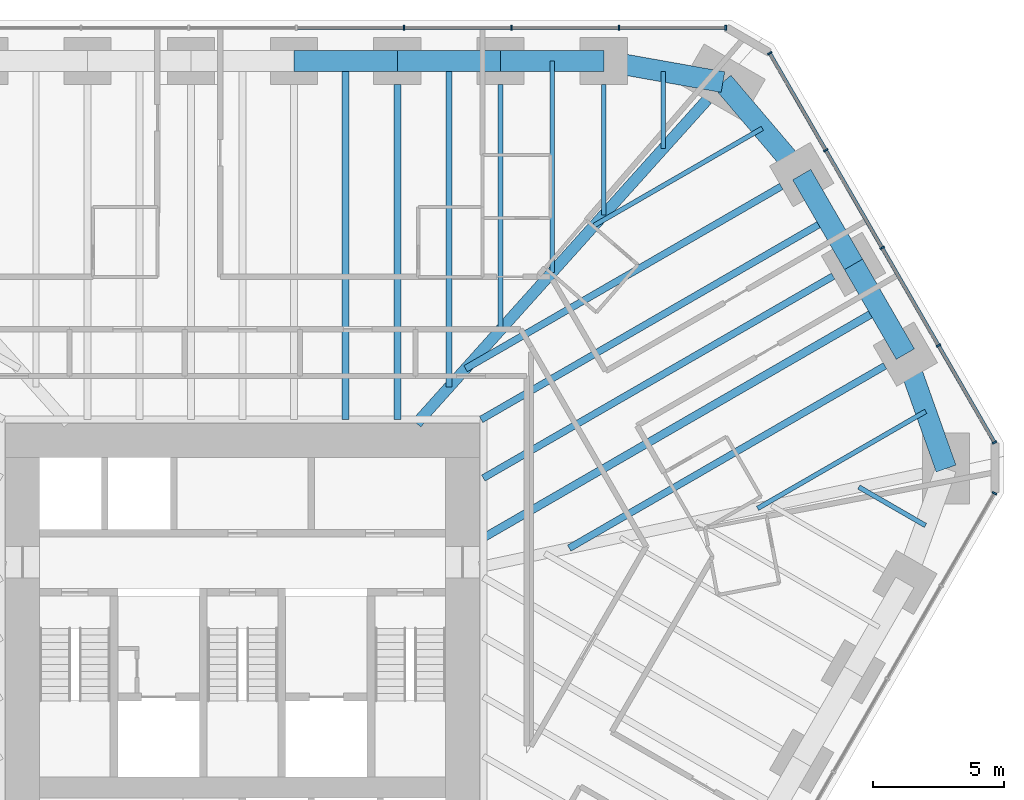
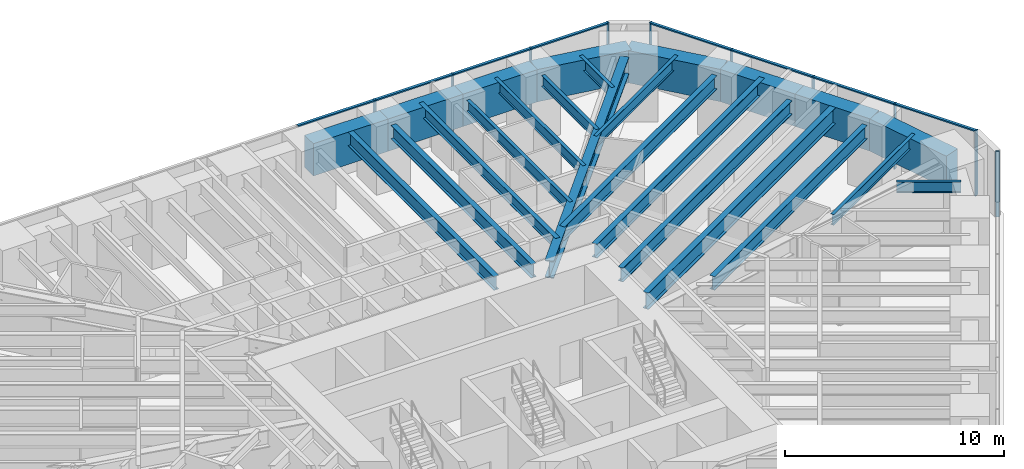
# One storey, part 9 of 17: 24 beams, 18 members, 3 elements without a shape of their own.
"""IFC4 building model written with IfcOpenShell, lengths in metres."""

from ifc_helpers import new_model, si_unit, direction, frame, origin, origin_2d, place, context, subcontext, project, spatial, rectangle, i_section, extrude, material, material_profile, profile_set, type_object, element, aggregate, save


model = new_model("IFC4")

# Units and contexts
model_context = context("Model", 3, precision=1e-05, world=origin(), true_north=direction((0.0, 1.0)))
body_context = subcontext(model_context, "Body", "Model", "MODEL_VIEW")
ifc_project = project(units=[si_unit("LENGTHUNIT", "METRE"), si_unit("AREAUNIT", "SQUARE_METRE"), si_unit("VOLUMEUNIT", "CUBIC_METRE"), si_unit("PLANEANGLEUNIT", "RADIAN"), si_unit("MASSUNIT", "GRAM", prefix="KILO")], contexts=[model_context])

# Site, building, storey
site_placement = place(None, origin())
site = spatial("IfcSite", under=ifc_project, at=site_placement, CompositionType="ELEMENT")
building_placement = place(site_placement, origin())
building = spatial("IfcBuilding", under=site, at=building_placement, Name="Sandreach Pilgrim Tower", CompositionType="ELEMENT")
storey_placement = place(building_placement, frame((0.0, 0.0, 108.199951171875)))
storey = spatial("IfcBuildingStorey", under=building, at=storey_placement, Name="L26", CompositionType="ELEMENT", Elevation=108.199951171875)

# Curtain wall, members
ifc_material_1 = material(Name="Aluminium framed curtain wall", Category="aluminium")
curtain_wall_type = type_object("IfcCurtainWallType", Name="Hotel tower curtain wall", PredefinedType="NOTDEFINED", material=ifc_material_1)
curtain_wall_1_placement = place(storey_placement, origin())
curtain_wall_1 = element("IfcCurtainWall", 1, at=curtain_wall_1_placement, inside=storey, type_object=curtain_wall_type, Name="CW-2 L26 N", PredefinedType="NOTDEFINED")
ifc_material_2 = material(Name="Aluminium extrusion", Category="aluminium")
ifc_material_profile_1 = material_profile(ifc_material_2, rectangle(XDim=0.06494140625, YDim=0.179931640625, at=origin_2d()), Name="CW-2M 65X180")
ifc_profile_set_1 = profile_set([ifc_material_profile_1], Name="Aluminium extrusion")
member_type_1 = type_object("IfcMemberType", Name="CW-2 mullion", PredefinedType="MULLION", material=ifc_profile_set_1)
member_1_placement = place(storey_placement, frame((6.160400390625, 22.493896484375, 0.0), z_axis=(0.0, 0.0, 1.0), x_axis=(1.0, 0.0, 0.0)))
member_1 = element("IfcMember", 2, at=member_1_placement, type_object=member_type_1, Name="CW-2 mullion 7", PredefinedType="MULLION", context=body_context, shape_type="SweptSolid", body=[
    extrude(rectangle(XDim=0.06494140625, YDim=0.179931640625, at=origin_2d()), origin(), (0.0, 0.0, 1.0), 3.64013671875),
])
member_2_placement = place(storey_placement, frame((10.267333984375, 22.493896484375, 0.0), z_axis=(0.0, 0.0, 1.0), x_axis=(1.0, 0.0, 0.0)))
member_2 = element("IfcMember", 3, at=member_2_placement, type_object=member_type_1, Name="CW-2 mullion 8", PredefinedType="MULLION", context=body_context, shape_type="SweptSolid", body=[
    extrude(rectangle(XDim=0.06494140625, YDim=0.179931640625, at=origin_2d()), origin(), (0.0, 0.0, 1.0), 3.64013671875),
])
member_3_placement = place(storey_placement, frame((14.37451171875, 22.493896484375, 0.0), z_axis=(0.0, 0.0, 1.0), x_axis=(1.0, 0.0, 0.0)))
member_3 = element("IfcMember", 4, at=member_3_placement, type_object=member_type_1, Name="CW-2 mullion 9", PredefinedType="MULLION", context=body_context, shape_type="SweptSolid", body=[
    extrude(rectangle(XDim=0.06494140625, YDim=0.179931640625, at=origin_2d()), origin(), (0.0, 0.0, 1.0), 3.64013671875),
])
member_4_placement = place(storey_placement, frame((18.448974609375, 22.493896484375, 0.0), z_axis=(0.0, 0.0, 1.0), x_axis=(1.0, 0.0, 0.0)))
member_4 = element("IfcMember", 5, at=member_4_placement, type_object=member_type_1, Name="CW-2 mullion 10", PredefinedType="MULLION", context=body_context, shape_type="SweptSolid", body=[
    extrude(rectangle(XDim=0.06494140625, YDim=0.179931640625, at=origin_2d()), origin(), (0.0, 0.0, 1.0), 3.64013671875),
])

curtain_wall_2_placement = place(storey_placement, origin())
curtain_wall_2 = element("IfcCurtainWall", 6, at=curtain_wall_2_placement, inside=storey, type_object=curtain_wall_type, Name="CW-2 L26 NE", PredefinedType="NOTDEFINED")
member_5_placement = place(storey_placement, frame((20.125732421875, 21.525634765625, 0.0), z_axis=(0.0, 0.0, 1.0), x_axis=(0.5, -0.866025403784, 0.0)))
member_5 = element("IfcMember", 7, at=member_5_placement, type_object=member_type_1, Name="CW-2 mullion 1", PredefinedType="MULLION", context=body_context, shape_type="SweptSolid", body=[
    extrude(rectangle(XDim=0.06494140625, YDim=0.179931640625, at=origin_2d()), origin(), (0.0, 0.0, 1.0), 3.64013671875),
])
member_6_placement = place(storey_placement, frame((22.262451171875, 17.824951171875, 0.0), z_axis=(0.0, 0.0, 1.0), x_axis=(0.5, -0.866025403784, 0.0)))
member_6 = element("IfcMember", 8, at=member_6_placement, type_object=member_type_1, Name="CW-2 mullion 2", PredefinedType="MULLION", context=body_context, shape_type="SweptSolid", body=[
    extrude(rectangle(XDim=0.06494140625, YDim=0.179931640625, at=origin_2d()), origin(), (0.0, 0.0, 1.0), 3.64013671875),
])
member_7_placement = place(storey_placement, frame((24.415283203125, 14.09619140625, 0.0), z_axis=(0.0, 0.0, 1.0), x_axis=(0.5, -0.866025403784, 0.0)))
member_7 = element("IfcMember", 9, at=member_7_placement, type_object=member_type_1, Name="CW-2 mullion 3", PredefinedType="MULLION", context=body_context, shape_type="SweptSolid", body=[
    extrude(rectangle(XDim=0.06494140625, YDim=0.179931640625, at=origin_2d()), origin(), (0.0, 0.0, 1.0), 3.64013671875),
])
member_8_placement = place(storey_placement, frame((26.568115234375, 10.3671875, 0.0), z_axis=(0.0, 0.0, 1.0), x_axis=(0.5, -0.866025403784, 0.0)))
member_8 = element("IfcMember", 10, at=member_8_placement, type_object=member_type_1, Name="CW-2 mullion 4", PredefinedType="MULLION", context=body_context, shape_type="SweptSolid", body=[
    extrude(rectangle(XDim=0.06494140625, YDim=0.179931640625, at=origin_2d()), origin(), (0.0, 0.0, 1.0), 3.64013671875),
])
member_9_placement = place(storey_placement, frame((28.70458984375, 6.66650390625, 0.0), z_axis=(0.0, 0.0, 1.0), x_axis=(0.5, -0.866025403784, 0.0)))
member_9 = element("IfcMember", 11, at=member_9_placement, type_object=member_type_1, Name="CW-2 mullion 5", PredefinedType="MULLION", context=body_context, shape_type="SweptSolid", body=[
    extrude(rectangle(XDim=0.06494140625, YDim=0.179931640625, at=origin_2d()), origin(), (0.0, 0.0, 1.0), 3.64013671875),
])

# Curtain wall, member
curtain_wall_3_placement = place(storey_placement, origin())
curtain_wall_3 = element("IfcCurtainWall", 12, at=curtain_wall_3_placement, inside=storey, type_object=curtain_wall_type, Name="CW-2 L26 SE", PredefinedType="NOTDEFINED")
member_10_placement = place(storey_placement, frame((28.70458984375, 4.730224609375, 0.0), z_axis=(0.0, 0.0, 1.0), x_axis=(-0.5, -0.866025403784, 0.0)))
member_10 = element("IfcMember", 13, at=member_10_placement, type_object=member_type_1, Name="CW-2 mullion 1", PredefinedType="MULLION", context=body_context, shape_type="SweptSolid", body=[
    extrude(rectangle(XDim=0.06494140625, YDim=0.179931640625, at=origin_2d()), origin(), (0.0, 0.0, 1.0), 3.64013671875),
])
aggregate(curtain_wall_3, [member_10])

# Member
ifc_material_3 = material(Name="Aluminium extrusion", Category="aluminium")
ifc_material_profile_2 = material_profile(ifc_material_3, rectangle(XDim=0.139892578125, YDim=0.070068359375, at=origin_2d()), Name="CW-2T 140X70")
ifc_profile_set_2 = profile_set([ifc_material_profile_2], Name="Aluminium extrusion")
member_type_2 = type_object("IfcMemberType", Name="CW-2 transom", PredefinedType="USERDEFINED", material=ifc_profile_set_2)
member_11_placement = place(storey_placement, frame((2.0859375, 22.493896484375, 3.60498046875), z_axis=(1.0, 0.0, 0.0), x_axis=(0.0, 1.0, 0.0)))
member_11 = element("IfcMember", 14, at=member_11_placement, type_object=member_type_2, Name="CW-2 head transom 6", ObjectType="TRANSOM", PredefinedType="USERDEFINED", context=body_context, shape_type="SweptSolid", body=[
    extrude(rectangle(XDim=0.139892578125, YDim=0.070068359375, at=origin_2d()), origin(), (0.0, 0.0, 1.0), 4.0419921875),
])

member_12_placement = place(storey_placement, frame((6.19287109375, 22.493896484375, 3.60498046875), z_axis=(1.0, 0.0, 0.0), x_axis=(0.0, 1.0, 0.0)))
member_12 = element("IfcMember", 15, at=member_12_placement, type_object=member_type_2, Name="CW-2 head transom 7", ObjectType="TRANSOM", PredefinedType="USERDEFINED", context=body_context, shape_type="SweptSolid", body=[
    extrude(rectangle(XDim=0.139892578125, YDim=0.070068359375, at=origin_2d()), origin(), (0.0, 0.0, 1.0), 4.0419921875),
])

member_13_placement = place(storey_placement, frame((10.300048828125, 22.493896484375, 3.60498046875), z_axis=(1.0, 0.0, 0.0), x_axis=(0.0, 1.0, 0.0)))
member_13 = element("IfcMember", 16, at=member_13_placement, type_object=member_type_2, Name="CW-2 head transom 8", ObjectType="TRANSOM", PredefinedType="USERDEFINED", context=body_context, shape_type="SweptSolid", body=[
    extrude(rectangle(XDim=0.139892578125, YDim=0.070068359375, at=origin_2d()), origin(), (0.0, 0.0, 1.0), 4.041748046875),
])

member_14_placement = place(storey_placement, frame((14.406982421875, 22.493896484375, 3.60498046875), z_axis=(1.0, 0.0, 0.0), x_axis=(0.0, 1.0, 0.0)))
member_14 = element("IfcMember", 17, at=member_14_placement, type_object=member_type_2, Name="CW-2 head transom 9", ObjectType="TRANSOM", PredefinedType="USERDEFINED", context=body_context, shape_type="SweptSolid", body=[
    extrude(rectangle(XDim=0.139892578125, YDim=0.070068359375, at=origin_2d()), origin(), (0.0, 0.0, 1.0), 4.00927734375),
])

aggregate(curtain_wall_1, [member_1, member_2, member_3, member_4, member_11, member_12, member_13, member_14])

member_15_placement = place(storey_placement, frame((20.14208984375, 21.49755859375, 3.60498046875), z_axis=(0.49997020258, -0.86604260665, 0.0), x_axis=(0.86604260665, 0.49997020258, 0.0)))
member_15 = element("IfcMember", 18, at=member_15_placement, type_object=member_type_2, Name="CW-2 head transom 1", ObjectType="TRANSOM", PredefinedType="USERDEFINED", context=body_context, shape_type="SweptSolid", body=[
    extrude(rectangle(XDim=0.139892578125, YDim=0.070068359375, at=origin_2d()), origin(), (0.0, 0.0, 1.0), 4.208251953125),
])

member_16_placement = place(storey_placement, frame((22.278564453125, 17.796875, 3.60498046875), z_axis=(0.499996541496, -0.866027400544, 0.0), x_axis=(0.866027400544, 0.499996541496, 0.0)))
member_16 = element("IfcMember", 19, at=member_16_placement, type_object=member_type_2, Name="CW-2 head transom 2", ObjectType="TRANSOM", PredefinedType="USERDEFINED", context=body_context, shape_type="SweptSolid", body=[
    extrude(rectangle(XDim=0.139892578125, YDim=0.070068359375, at=origin_2d()), origin(), (0.0, 0.0, 1.0), 4.24072265625),
])

member_17_placement = place(storey_placement, frame((24.431396484375, 14.06787109375, 3.60498046875), z_axis=(0.500021471012, -0.866013007135, 0.0), x_axis=(0.866013007135, 0.500021471012, 0.0)))
member_17 = element("IfcMember", 20, at=member_17_placement, type_object=member_type_2, Name="CW-2 head transom 3", ObjectType="TRANSOM", PredefinedType="USERDEFINED", context=body_context, shape_type="SweptSolid", body=[
    extrude(rectangle(XDim=0.139892578125, YDim=0.070068359375, at=origin_2d()), origin(), (0.0, 0.0, 1.0), 4.240478515625),
])

member_18_placement = place(storey_placement, frame((26.584228515625, 10.339111328125, 3.60498046875), z_axis=(0.500038835258, -0.866002981077, 0.0), x_axis=(0.866002981077, 0.500038835258, 0.0)))
member_18 = element("IfcMember", 21, at=member_18_placement, type_object=member_type_2, Name="CW-2 head transom 4", ObjectType="TRANSOM", PredefinedType="USERDEFINED", context=body_context, shape_type="SweptSolid", body=[
    extrude(rectangle(XDim=0.139892578125, YDim=0.070068359375, at=origin_2d()), origin(), (0.0, 0.0, 1.0), 4.208251953125),
])

aggregate(curtain_wall_2, [member_5, member_6, member_7, member_8, member_9, member_15, member_16, member_17, member_18])

# Beams
ifc_material_4 = material(Name="Steel ASTM A992 Grade 50", Category="steel")
ifc_material_profile_3 = material_profile(ifc_material_4, i_section(OverallWidth=0.424072265625, OverallDepth=0.965087890625, WebThickness=0.028564453125, FlangeThickness=0.051025390625, at=origin_2d()), Name="W36X361")
ifc_profile_set_3 = profile_set([ifc_material_profile_3], Name="Steel ASTM A992 Grade 50")
beam_type_1 = type_object("IfcBeamType", Name="Corner girder W36X361", PredefinedType="BEAM", material=ifc_profile_set_3)
beam_1_placement = place(storey_placement, frame((17.738037109375, 19.754150390625, 3.157470703125), z_axis=(-0.66811374471, -0.74405915365, 0.0), x_axis=(0.74405915365, -0.66811374471, 0.0)))
element("IfcBeam", 22, at=beam_1_placement, inside=storey, type_object=beam_type_1, Name="BM L26 CG09", PredefinedType="BEAM", context=body_context, shape_type="SweptSolid", body=[
    extrude(i_section(OverallWidth=0.424072265625, OverallDepth=0.965087890625, WebThickness=0.028564453125, FlangeThickness=0.051025390625, at=origin_2d()), origin(), (0.0, 0.0, 1.0), 16.603759765625),
])
ifc_material_5 = material(Name="Steel ASTM A992 Grade 50", Category="steel")
ifc_material_profile_4 = material_profile(ifc_material_5, i_section(OverallWidth=0.1787109375, OverallDepth=0.60205078125, WebThickness=0.010986328125, FlangeThickness=0.014892578125, at=origin_2d()), Name="W24X62")
ifc_profile_set_4 = profile_set([ifc_material_profile_4], Name="Steel ASTM A992 Grade 50")
beam_type_2 = type_object("IfcBeamType", Name="Floor beam W24X62", PredefinedType="BEAM", material=ifc_profile_set_4)
beam_2_placement = place(storey_placement, frame((9.849853515625, 20.333740234375, 3.339111328125), z_axis=(0.0, -1.0, 0.0), x_axis=(1.0, 0.0, 0.0)))
element("IfcBeam", 23, at=beam_2_placement, inside=storey, type_object=beam_type_2, Name="BM L26 F07", PredefinedType="BEAM", context=body_context, shape_type="SweptSolid", body=[
    extrude(i_section(OverallWidth=0.1787109375, OverallDepth=0.60205078125, WebThickness=0.010986328125, FlangeThickness=0.014892578125, at=origin_2d()), origin(), (0.0, 0.0, 1.0), 9.3642578125),
])
beam_3_placement = place(storey_placement, frame((13.789794921875, 20.333740234375, 3.339111328125), z_axis=(0.0, -1.0, 0.0), x_axis=(1.0, 0.0, 0.0)))
element("IfcBeam", 24, at=beam_3_placement, inside=storey, type_object=beam_type_2, Name="BM L26 F08", PredefinedType="BEAM", context=body_context, shape_type="SweptSolid", body=[
    extrude(i_section(OverallWidth=0.1787109375, OverallDepth=0.60205078125, WebThickness=0.010986328125, FlangeThickness=0.014892578125, at=origin_2d()), origin(), (0.0, 0.0, 1.0), 4.9765625),
])
beam_4_placement = place(storey_placement, frame((11.81982421875, 21.23388671875, 3.339111328125), z_axis=(0.0, -1.0, 0.0), x_axis=(1.0, 0.0, 0.0)))
element("IfcBeam", 25, at=beam_4_placement, inside=storey, type_object=beam_type_2, Name="BM L26 FM07", PredefinedType="BEAM", context=body_context, shape_type="SweptSolid", body=[
    extrude(i_section(OverallWidth=0.1787109375, OverallDepth=0.60205078125, WebThickness=0.010986328125, FlangeThickness=0.014892578125, at=origin_2d()), origin(), (0.0, 0.0, 1.0), 8.070556640625),
])
beam_5_placement = place(storey_placement, frame((16.064697265625, 20.828857421875, 3.339111328125), z_axis=(0.0, -1.0, 0.0), x_axis=(1.0, 0.0, 0.0)))
element("IfcBeam", 26, at=beam_5_placement, inside=storey, type_object=beam_type_2, Name="BM L26 FM08", PredefinedType="BEAM", context=body_context, shape_type="SweptSolid", body=[
    extrude(i_section(OverallWidth=0.1787109375, OverallDepth=0.60205078125, WebThickness=0.010986328125, FlangeThickness=0.014892578125, at=origin_2d()), origin(), (0.0, 0.0, 1.0), 2.938232421875),
])
for number, where, z_axis, x_axis, name in (
    (27, (19.8427734375, 18.65771484375, 3.339111328125), (-0.866025875064, -0.499999183719, 0.0), (0.499999183719, -0.866025875064, 0.0), "BM L26 FM09"),
    (28, (26.079345703125, 7.855712890625, 3.339111328125), (-0.866025875064, -0.499999183719, 0.0), (0.499999183719, -0.866025875064, 0.0), "BM L26 FM12"),
):
    element("IfcBeam", number, at=place(storey_placement, frame(where, z_axis=z_axis, x_axis=x_axis)), inside=storey, type_object=beam_type_2, Name=name, PredefinedType="BEAM", context=body_context, shape_type="SweptSolid", body=[
        extrude(i_section(OverallWidth=0.1787109375, OverallDepth=0.60205078125, WebThickness=0.010986328125, FlangeThickness=0.014892578125, at=origin_2d()), origin(), (0.0, 0.0, 1.0), 7.40771484375),
    ])
beam_6_placement = place(storey_placement, frame((26.070556640625, 3.498046875, 3.339111328125), z_axis=(-0.866051374412, 0.499955014855, 0.0), x_axis=(-0.499955014855, -0.866051374412, 0.0)))
element("IfcBeam", 29, at=beam_6_placement, inside=storey, type_object=beam_type_2, Name="BM L26 FM13", PredefinedType="BEAM", context=body_context, shape_type="SweptSolid", body=[
    extrude(i_section(OverallWidth=0.1787109375, OverallDepth=0.60205078125, WebThickness=0.010986328125, FlangeThickness=0.014892578125, at=origin_2d()), origin(), (0.0, 0.0, 1.0), 2.938232421875),
])
ifc_material_6 = material(Name="Steel ASTM A992 Grade 50", Category="steel")
ifc_material_profile_5 = material_profile(ifc_material_6, i_section(OverallWidth=0.23046875, OverallDepth=0.6171875, WebThickness=0.01318359375, FlangeThickness=0.022216796875, at=origin_2d()), Name="W24X94")
ifc_profile_set_5 = profile_set([ifc_material_profile_5], Name="Steel ASTM A992 Grade 50")
beam_type_3 = type_object("IfcBeamType", Name="Floor beam W24X94", PredefinedType="BEAM", material=ifc_profile_set_5)
beam_7_placement = place(storey_placement, frame((7.8798828125, 21.23388671875, 3.33154296875), z_axis=(0.0, -1.0, 0.0), x_axis=(1.0, 0.0, 0.0)))
element("IfcBeam", 30, at=beam_7_placement, inside=storey, type_object=beam_type_3, Name="BM L26 FM06", PredefinedType="BEAM", context=body_context, shape_type="SweptSolid", body=[
    extrude(i_section(OverallWidth=0.23046875, OverallDepth=0.6171875, WebThickness=0.01318359375, FlangeThickness=0.022216796875, at=origin_2d()), origin(), (0.0, 0.0, 1.0), 12.458251953125),
])
ifc_material_7 = material(Name="Steel ASTM A992 Grade 50", Category="steel")
ifc_material_profile_6 = material_profile(ifc_material_7, i_section(OverallWidth=0.2666015625, OverallDepth=0.761962890625, WebThickness=0.014404296875, FlangeThickness=0.021484375, at=origin_2d()), Name="W30X116")
ifc_profile_set_6 = profile_set([ifc_material_profile_6], Name="Steel ASTM A992 Grade 50")
beam_type_4 = type_object("IfcBeamType", Name="Floor beam W30X116", PredefinedType="BEAM", material=ifc_profile_set_6)
beam_8_placement = place(storey_placement, frame((5.909912109375, 20.333740234375, 3.259033203125), z_axis=(0.0, -1.0, 0.0), x_axis=(1.0, 0.0, 0.0)))
element("IfcBeam", 31, at=beam_8_placement, inside=storey, type_object=beam_type_4, Name="BM L26 F06", PredefinedType="BEAM", context=body_context, shape_type="SweptSolid", body=[
    extrude(i_section(OverallWidth=0.2666015625, OverallDepth=0.761962890625, WebThickness=0.014404296875, FlangeThickness=0.021484375, at=origin_2d()), origin(), (0.0, 0.0, 1.0), 12.790283203125),
])
beam_9_placement = place(storey_placement, frame((20.56689453125, 16.44140625, 3.259033203125), z_axis=(-0.866022263426, -0.500005439221, 0.0), x_axis=(0.500005439221, -0.866022263426, 0.0)))
element("IfcBeam", 32, at=beam_9_placement, inside=storey, type_object=beam_type_4, Name="BM L26 F10", PredefinedType="BEAM", context=body_context, shape_type="SweptSolid", body=[
    extrude(i_section(OverallWidth=0.2666015625, OverallDepth=0.761962890625, WebThickness=0.014404296875, FlangeThickness=0.021484375, at=origin_2d()), origin(), (0.0, 0.0, 1.0), 13.915283203125),
])
beam_10_placement = place(storey_placement, frame((24.522216796875, 9.5908203125, 3.259033203125), z_axis=(-0.866026649588, -0.499997842199, 0.0), x_axis=(0.499997842199, -0.866026649588, 0.0)))
element("IfcBeam", 33, at=beam_10_placement, inside=storey, type_object=beam_type_4, Name="BM L26 F12", PredefinedType="BEAM", context=body_context, shape_type="SweptSolid", body=[
    extrude(i_section(OverallWidth=0.2666015625, OverallDepth=0.761962890625, WebThickness=0.014404296875, FlangeThickness=0.021484375, at=origin_2d()), origin(), (0.0, 0.0, 1.0), 13.91552734375),
])
beam_11_placement = place(storey_placement, frame((3.93994140625, 21.23388671875, 3.259033203125), z_axis=(0.0, -1.0, 0.0), x_axis=(1.0, 0.0, 0.0)))
element("IfcBeam", 34, at=beam_11_placement, inside=storey, type_object=beam_type_4, Name="BM L26 FM05", PredefinedType="BEAM", context=body_context, shape_type="SweptSolid", body=[
    extrude(i_section(OverallWidth=0.2666015625, OverallDepth=0.761962890625, WebThickness=0.014404296875, FlangeThickness=0.021484375, at=origin_2d()), origin(), (0.0, 0.0, 1.0), 13.6904296875),
])
ifc_material_8 = material(Name="Steel ASTM A992 Grade 50", Category="steel")
ifc_material_profile_7 = material_profile(ifc_material_8, i_section(OverallWidth=0.2666015625, OverallDepth=0.77978515625, WebThickness=0.0166015625, FlangeThickness=0.030029296875, at=origin_2d()), Name="W30X148")
ifc_profile_set_7 = profile_set([ifc_material_profile_7], Name="Steel ASTM A992 Grade 50")
beam_type_5 = type_object("IfcBeamType", Name="Floor beam W30X148", PredefinedType="BEAM", material=ifc_profile_set_7)
beam_12_placement = place(storey_placement, frame((22.544677734375, 13.01611328125, 3.250244140625), z_axis=(-0.866029203842, -0.49999341805, 0.0), x_axis=(0.49999341805, -0.866029203842, 0.0)))
element("IfcBeam", 35, at=beam_12_placement, inside=storey, type_object=beam_type_5, Name="BM L26 F11", PredefinedType="BEAM", context=body_context, shape_type="SweptSolid", body=[
    extrude(i_section(OverallWidth=0.2666015625, OverallDepth=0.77978515625, WebThickness=0.0166015625, FlangeThickness=0.030029296875, at=origin_2d()), origin(), (0.0, 0.0, 1.0), 15.416748046875),
])
beam_13_placement = place(storey_placement, frame((22.335205078125, 15.1787109375, 3.250244140625), z_axis=(-0.866028773314, -0.499994163758, 0.0), x_axis=(0.499994163758, -0.866028773314, 0.0)))
element("IfcBeam", 36, at=beam_13_placement, inside=storey, type_object=beam_type_5, Name="BM L26 FM10", PredefinedType="BEAM", context=body_context, shape_type="SweptSolid", body=[
    extrude(i_section(OverallWidth=0.2666015625, OverallDepth=0.77978515625, WebThickness=0.0166015625, FlangeThickness=0.030029296875, at=origin_2d()), origin(), (0.0, 0.0, 1.0), 15.270751953125),
])
ifc_material_9 = material(Name="Steel ASTM A992 Grade 50", Category="steel")
ifc_material_profile_8 = material_profile(ifc_material_9, i_section(OverallWidth=0.3046875, OverallDepth=0.914306640625, WebThickness=0.0166015625, FlangeThickness=0.02587890625, at=origin_2d()), Name="W36X160")
ifc_profile_set_8 = profile_set([ifc_material_profile_8], Name="Steel ASTM A992 Grade 50")
beam_type_6 = type_object("IfcBeamType", Name="Floor beam W36X160", PredefinedType="BEAM", material=ifc_profile_set_8)
beam_14_placement = place(storey_placement, frame((24.312744140625, 11.75341796875, 3.182861328125), z_axis=(-0.866023737483, -0.500002886107, 0.0), x_axis=(0.500002886107, -0.866023737483, 0.0)))
element("IfcBeam", 37, at=beam_14_placement, inside=storey, type_object=beam_type_6, Name="BM L26 FM11", PredefinedType="BEAM", context=body_context, shape_type="SweptSolid", body=[
    extrude(i_section(OverallWidth=0.3046875, OverallDepth=0.914306640625, WebThickness=0.0166015625, FlangeThickness=0.02587890625, at=origin_2d()), origin(), (0.0, 0.0, 1.0), 17.45849609375),
])
ifc_material_10 = material(Name="Concrete 10000 psi", Category="concrete")
ifc_material_profile_9 = material_profile(ifc_material_10, rectangle(XDim=0.800048828125, YDim=1.800048828125, at=origin_2d()), Name="RC800X1800")
ifc_profile_set_9 = profile_set([ifc_material_profile_9], Name="Concrete 10000 psi")
beam_type_7 = type_object("IfcBeamType", Name="Spandrel beam RC800X1800", PredefinedType="SPANDREL", material=ifc_profile_set_9)
for number, where, z_axis, x_axis, name in (
    (38, (1.969970703125, 21.23388671875, 2.739990234375), (1.0, 0.0, 0.0), (0.0, 1.0, 0.0), "BM L26 SP05"),
    (39, (5.909912109375, 21.23388671875, 2.739990234375), (1.0, 0.0, 0.0), (0.0, 1.0, 0.0), "BM L26 SP06"),
    (40, (9.849853515625, 21.23388671875, 2.739990234375), (1.0, 0.0, 0.0), (0.0, 1.0, 0.0), "BM L26 SP07"),
):
    element("IfcBeam", number, at=place(storey_placement, frame(where, z_axis=z_axis, x_axis=x_axis)), inside=storey, type_object=beam_type_7, Name=name, PredefinedType="SPANDREL", context=body_context, shape_type="SweptSolid", body=[
        extrude(rectangle(XDim=0.800048828125, YDim=1.800048828125, at=origin_2d()), origin(), (0.0, 0.0, 1.0), 3.93994140625),
    ])
beam_15_placement = place(storey_placement, frame((13.789794921875, 21.23388671875, 2.739990234375), z_axis=(0.984515938739, -0.175295083699, 0.0), x_axis=(0.175295083699, 0.984515938739, 0.0)))
element("IfcBeam", 41, at=beam_15_placement, inside=storey, type_object=beam_type_7, Name="BM L26 SP08", PredefinedType="SPANDREL", context=body_context, shape_type="SweptSolid", body=[
    extrude(rectangle(XDim=0.800048828125, YDim=1.800048828125, at=origin_2d()), origin(), (0.0, 0.0, 1.0), 4.62109375),
])
beam_16_placement = place(storey_placement, frame((18.33935546875, 20.423828125, 2.739990234375), z_axis=(0.648208888384, -0.761462564425, 0.0), x_axis=(0.761462564425, 0.648208888384, 0.0)))
element("IfcBeam", 42, at=beam_16_placement, inside=storey, type_object=beam_type_7, Name="BM L26 SP09", PredefinedType="SPANDREL", context=body_context, shape_type="SweptSolid", body=[
    extrude(rectangle(XDim=0.800048828125, YDim=1.800048828125, at=origin_2d()), origin(), (0.0, 0.0, 1.0), 4.63916015625),
])
for number, where, z_axis, x_axis, name in (
    (43, (21.346435546875, 16.891357421875, 2.739990234375), (0.499989616998, -0.866031398331, 0.0), (0.866031398331, 0.499989616998, 0.0), "BM L26 SP10"),
    (44, (23.323974609375, 13.466064453125, 2.739990234375), (0.499989616998, -0.866031398331, 0.0), (0.866031398331, 0.499989616998, 0.0), "BM L26 SP11"),
):
    element("IfcBeam", number, at=place(storey_placement, frame(where, z_axis=z_axis, x_axis=x_axis)), inside=storey, type_object=beam_type_7, Name=name, PredefinedType="SPANDREL", context=body_context, shape_type="SweptSolid", body=[
        extrude(rectangle(XDim=0.800048828125, YDim=1.800048828125, at=origin_2d()), origin(), (0.0, 0.0, 1.0), 3.955078125),
    ])
beam_17_placement = place(storey_placement, frame((25.301513671875, 10.040771484375, 2.739990234375), z_axis=(0.335346041399, -0.942095023083, 0.0), x_axis=(0.942095023083, 0.335346041399, 0.0)))
element("IfcBeam", 45, at=beam_17_placement, inside=storey, type_object=beam_type_7, Name="BM L26 SP12", PredefinedType="SPANDREL", context=body_context, shape_type="SweptSolid", body=[
    extrude(rectangle(XDim=0.800048828125, YDim=1.800048828125, at=origin_2d()), origin(), (0.0, 0.0, 1.0), 4.638916015625),
])

save(model, "model.ifc")
